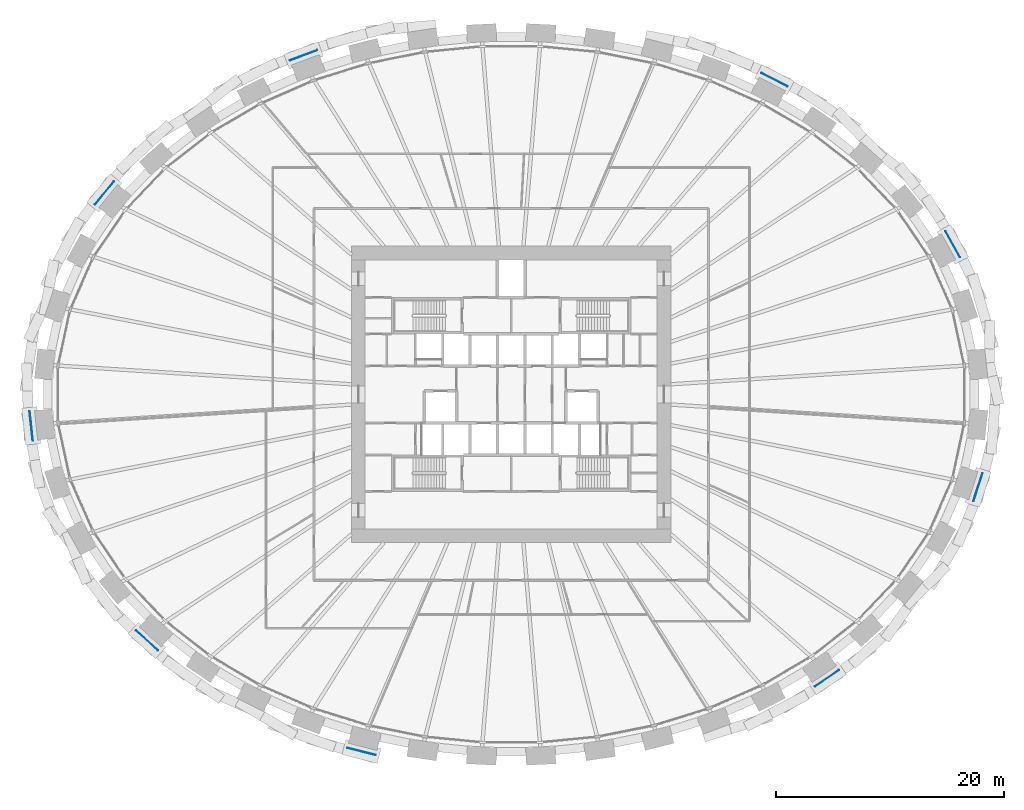
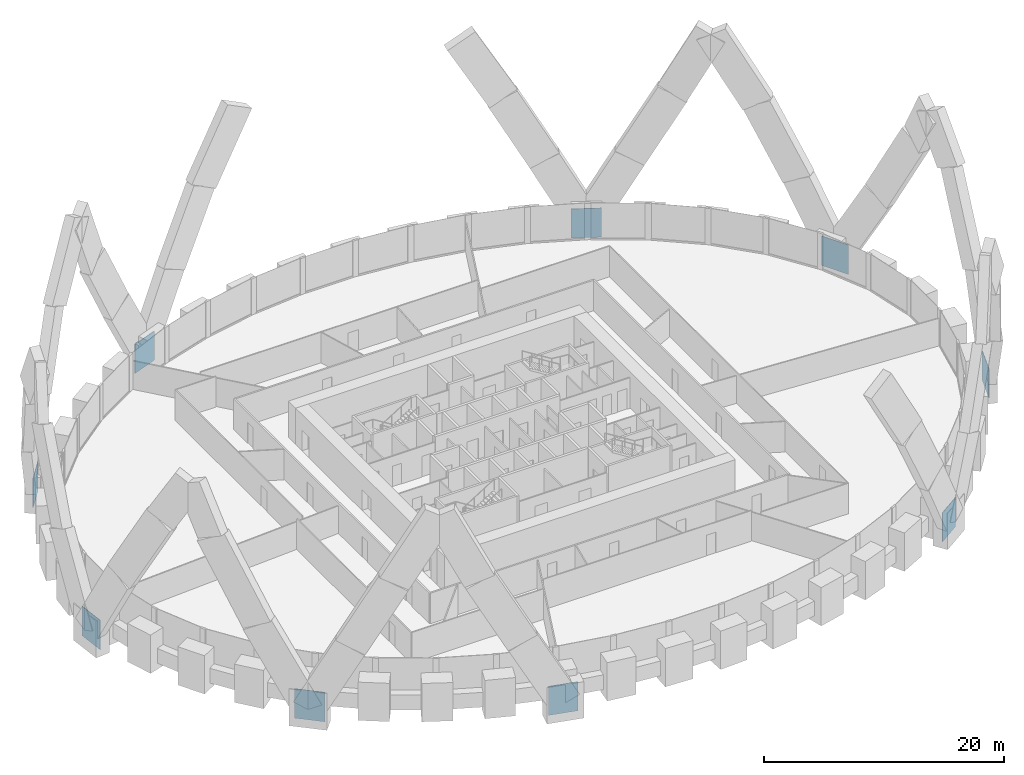
# One storey, part 11 of 12: 9 discrete accessories.
"""IFC4 building model written with IfcOpenShell, lengths in metres."""

from ifc_helpers import new_model, si_unit, direction, frame, origin, origin_2d, place, context, subcontext, project, spatial, rectangle, extrude, source, transform, mapped, material, type_object, element, save


model = new_model("IFC4")

# Units and contexts
model_context = context("Model", 3, precision=1e-05, world=origin(), true_north=direction((0.0, 1.0)))
body_context = subcontext(model_context, "Body", "Model", "MODEL_VIEW")
ifc_project = project(units=[si_unit("LENGTHUNIT", "METRE"), si_unit("AREAUNIT", "SQUARE_METRE"), si_unit("VOLUMEUNIT", "CUBIC_METRE"), si_unit("PLANEANGLEUNIT", "RADIAN"), si_unit("MASSUNIT", "GRAM", prefix="KILO")], contexts=[model_context])

# Site, building, storey
site_placement = place(None, origin())
site = spatial("IfcSite", under=ifc_project, at=site_placement, CompositionType="ELEMENT")
building_placement = place(site_placement, origin())
building = spatial("IfcBuilding", under=site, at=building_placement, Name="Embergate Tower", CompositionType="ELEMENT")
storey_placement = place(building_placement, frame((0.0, 0.0, 85.39990234375)))
storey = spatial("IfcBuildingStorey", under=building, at=storey_placement, Name="L17", CompositionType="ELEMENT", Elevation=85.39990234375)

# Discrete accessories
ifc_material = material(Name="Steel Q355D plate", Category="steel")
discrete_accessory_type = type_object("IfcDiscreteAccessoryType", Name="Lattice node plate", PredefinedType="USERDEFINED", material=ifc_material)
shared_shape_1 = source(origin(), body_context, "Body", "SweptSolid", [
    extrude(rectangle(XDim=2.56005859375, YDim=0.050048828125, at=origin_2d()), origin(), (0.0, 0.0, 1.0), 2.9599609375),
])
for number, where, z_axis, x_axis, name in (
    (1, (23.0849609375, 27.60107421875, -1.47998046875), (0.0, 0.0, 1.0), (-0.891513080478, 0.452994952881, 0.0), "Node plate"),
    (2, (-18.200927734375, 29.737060546875, -1.47998046875), (0.0, 0.0, 1.0), (-0.93736713373, -0.348343015724, 0.0), "Node plate"),
    (3, (-13.1259765625, -31.31689453125, -1.47998046875), (0.0, 0.0, 1.0), (0.969144926951, -0.246491603437, 0.0), "Node plate"),
    (4, (27.697021484375, -24.888916015625, -1.47998046875), (0.0, 0.0, 1.0), (0.828226643109, 0.560393279442, 0.0), "Node plate"),
):
    element("IfcDiscreteAccessory", number, at=place(storey_placement, frame(where, z_axis=z_axis, x_axis=x_axis)), inside=storey, type_object=discrete_accessory_type, Name=name, ObjectType="BRACKET", PredefinedType="USERDEFINED", context=body_context, shape_type="MappedRepresentation", body=[
        mapped(shared_shape_1, transform((0.0, 0.0, 0.0))),
    ])
shared_shape_2 = source(origin(), body_context, "Body", "SweptSolid", [
    extrude(rectangle(XDim=2.60009765625, YDim=0.050048828125, at=origin_2d()), origin(), (0.0, 0.0, 1.0), 3.0),
])
for number, where, z_axis, x_axis, name in (
    (5, (38.72802734375, 13.1640625, -1.5), (0.0, 0.0, 1.0), (-0.486838556403, 0.873491969053, 0.0), "Node plate"),
    (6, (-35.6669921875, 17.6669921875, -1.5), (0.0, 0.0, 1.0), (-0.630838328377, -0.775914301615, 0.0), "Node plate"),
    (7, (-42.0869140625, -2.760009765625, -1.5), (0.0, 0.0, 1.0), (0.106749983816, -0.99428589498, 0.0), "Node plate"),
    (8, (-31.93505859375, -21.5810546875, -1.5), (0.0, 0.0, 1.0), (0.74307475021, -0.669208424634, 0.0), "Node plate"),
    (9, (40.928955078125, -8.14501953125, -1.5), (0.0, 0.0, 1.0), (0.309946394413, 0.950754033697, 0.0), "Node plate"),
):
    element("IfcDiscreteAccessory", number, at=place(storey_placement, frame(where, z_axis=z_axis, x_axis=x_axis)), inside=storey, type_object=discrete_accessory_type, Name=name, ObjectType="BRACKET", PredefinedType="USERDEFINED", context=body_context, shape_type="MappedRepresentation", body=[
        mapped(shared_shape_2, transform((0.0, 0.0, 0.0))),
    ])

save(model, "model.ifc")
